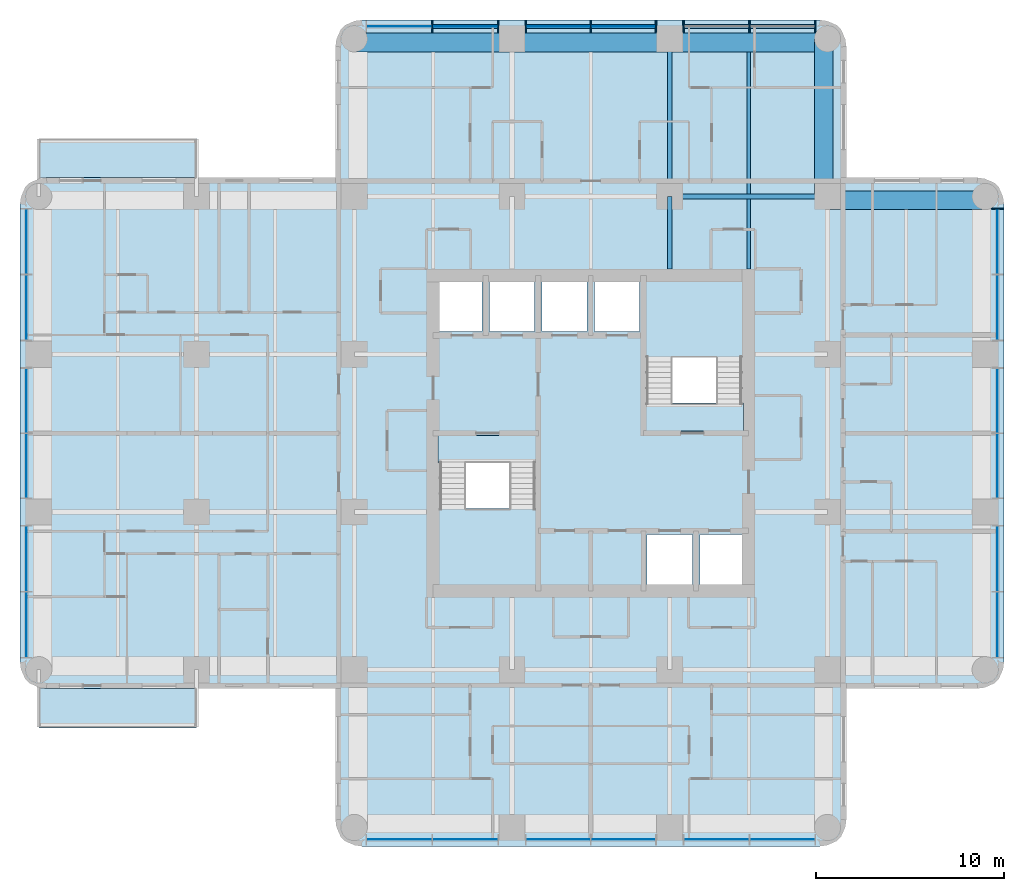
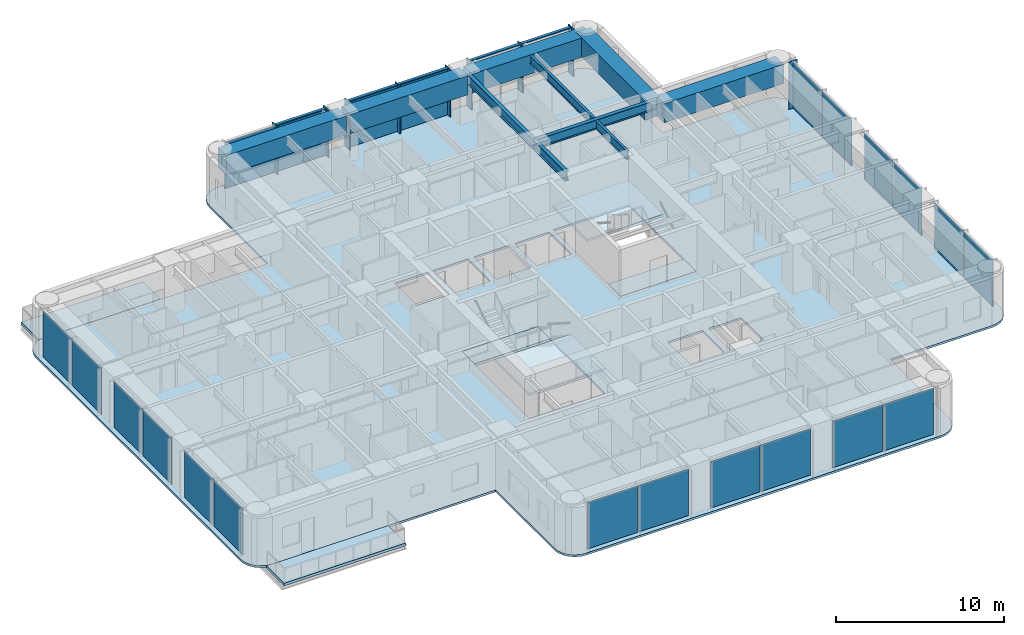
# One storey, part 3 of 11: 22 plates, 14 members, 10 beams, 7 slabs, 6 elements without a shape of their own.
"""IFC4 building model written with IfcOpenShell, lengths in metres."""

from ifc_helpers import new_model, si_unit, direction, frame, origin, origin_2d, place, context, subcontext, project, spatial, polyline, rectangle, i_section, outline, extrude, material, layer, layer_set, material_profile, profile_set, type_object, element, aggregate, save


model = new_model("IFC4")

# Units and contexts
model_context = context("Model", 3, precision=1e-05, world=origin(), true_north=direction((0.0, 1.0)))
body_context = subcontext(model_context, "Body", "Model", "MODEL_VIEW")
ifc_project = project(units=[si_unit("LENGTHUNIT", "METRE"), si_unit("AREAUNIT", "SQUARE_METRE"), si_unit("VOLUMEUNIT", "CUBIC_METRE"), si_unit("PLANEANGLEUNIT", "RADIAN"), si_unit("MASSUNIT", "GRAM", prefix="KILO")], contexts=[model_context])

# Site, building, storey
site_placement = place(None, origin())
site = spatial("IfcSite", under=ifc_project, at=site_placement, CompositionType="ELEMENT")
building_placement = place(site_placement, origin())
building = spatial("IfcBuilding", under=site, at=building_placement, Name="Torre Alcanfor", CompositionType="ELEMENT")
storey_placement = place(building_placement, frame((0.0, 0.0, 230.10009765625)))
storey = spatial("IfcBuildingStorey", under=building, at=storey_placement, Name="L60", CompositionType="ELEMENT", Elevation=230.10009765625)

# Curtain wall, member
ifc_material_1 = material(Name="Aluminium and glass", Category="aluminium")
curtain_wall_type = type_object("IfcCurtainWallType", Name="CW-A unitised apartment glazing with vertical FIN", PredefinedType="NOTDEFINED", material=ifc_material_1)
curtain_wall_1_placement = place(storey_placement, origin())
curtain_wall_1 = element("IfcCurtainWall", 1, at=curtain_wall_1_placement, inside=storey, type_object=curtain_wall_type, Name="Curtain wall CW-A L60 8", PredefinedType="NOTDEFINED")
ifc_material_2 = material(Name="Bronze anodised aluminium", Category="aluminium")
ifc_material_profile_1 = material_profile(ifc_material_2, rectangle(XDim=0.60009765625, YDim=0.06494140625, at=origin_2d()), Name="CW-A mullion 65x600")
ifc_profile_set_1 = profile_set([ifc_material_profile_1], Name="Bronze anodised aluminium")
member_type_1 = type_object("IfcMemberType", Name="CW-A mullion with vertical FIN 65x600", PredefinedType="MULLION", material=ifc_profile_set_1)
member_1_placement = place(storey_placement, frame((51.050048828125, 41.35546875, 0.0), z_axis=(0.0, 0.0, 1.0), x_axis=(-1.0, 0.0, 0.0)))
member_1 = element("IfcMember", 2, at=member_1_placement, type_object=member_type_1, Name="CW-A mullion 3.3", PredefinedType="MULLION", context=body_context, shape_type="SweptSolid", body=[
    extrude(rectangle(XDim=0.60009765625, YDim=0.06494140625, at=origin_2d()), origin(), (0.0, 0.0, 1.0), 3.449951171875),
])

# Curtain wall, members
curtain_wall_2_placement = place(storey_placement, origin())
curtain_wall_2 = element("IfcCurtainWall", 3, at=curtain_wall_2_placement, inside=storey, type_object=curtain_wall_type, Name="Curtain wall CW-A L60 11", PredefinedType="NOTDEFINED")
member_2_placement = place(storey_placement, frame((41.35546875, 51.050048828125, 0.0), z_axis=(0.0, 0.0, 1.0), x_axis=(0.0, -1.0, 0.0)))
member_2 = element("IfcMember", 4, at=member_2_placement, type_object=member_type_1, Name="CW-A mullion 1.1", PredefinedType="MULLION", context=body_context, shape_type="SweptSolid", body=[
    extrude(rectangle(XDim=0.60009765625, YDim=0.06494140625, at=origin_2d()), origin(), (0.0, 0.0, 1.0), 3.449951171875),
])
member_3_placement = place(storey_placement, frame((37.846435546875, 51.050048828125, 0.0), z_axis=(0.0, 0.0, 1.0), x_axis=(0.0, -1.0, 0.0)))
member_3 = element("IfcMember", 5, at=member_3_placement, type_object=member_type_1, Name="CW-A mullion 1.2", PredefinedType="MULLION", context=body_context, shape_type="SweptSolid", body=[
    extrude(rectangle(XDim=0.60009765625, YDim=0.06494140625, at=origin_2d()), origin(), (0.0, 0.0, 1.0), 3.449951171875),
])
member_4_placement = place(storey_placement, frame((34.33740234375, 51.050048828125, 0.0), z_axis=(0.0, 0.0, 1.0), x_axis=(0.0, -1.0, 0.0)))
member_4 = element("IfcMember", 6, at=member_4_placement, type_object=member_type_1, Name="CW-A mullion 1.3", PredefinedType="MULLION", context=body_context, shape_type="SweptSolid", body=[
    extrude(rectangle(XDim=0.60009765625, YDim=0.06494140625, at=origin_2d()), origin(), (0.0, 0.0, 1.0), 3.449951171875),
])
member_5_placement = place(storey_placement, frame((32.862548828125, 51.050048828125, 0.0), z_axis=(0.0, 0.0, 1.0), x_axis=(0.0, -1.0, 0.0)))
member_5 = element("IfcMember", 7, at=member_5_placement, type_object=member_type_1, Name="CW-A mullion 2.1", PredefinedType="MULLION", context=body_context, shape_type="SweptSolid", body=[
    extrude(rectangle(XDim=0.60009765625, YDim=0.06494140625, at=origin_2d()), origin(), (0.0, 0.0, 1.0), 3.449951171875),
])
member_6_placement = place(storey_placement, frame((29.39990234375, 51.050048828125, 0.0), z_axis=(0.0, 0.0, 1.0), x_axis=(0.0, -1.0, 0.0)))
member_6 = element("IfcMember", 8, at=member_6_placement, type_object=member_type_1, Name="CW-A mullion 2.2", PredefinedType="MULLION", context=body_context, shape_type="SweptSolid", body=[
    extrude(rectangle(XDim=0.60009765625, YDim=0.06494140625, at=origin_2d()), origin(), (0.0, 0.0, 1.0), 3.449951171875),
])
member_7_placement = place(storey_placement, frame((25.9375, 51.050048828125, 0.0), z_axis=(0.0, 0.0, 1.0), x_axis=(0.0, -1.0, 0.0)))
member_7 = element("IfcMember", 9, at=member_7_placement, type_object=member_type_1, Name="CW-A mullion 2.3", PredefinedType="MULLION", context=body_context, shape_type="SweptSolid", body=[
    extrude(rectangle(XDim=0.60009765625, YDim=0.06494140625, at=origin_2d()), origin(), (0.0, 0.0, 1.0), 3.449951171875),
])
member_8_placement = place(storey_placement, frame((24.46240234375, 51.050048828125, 0.0), z_axis=(0.0, 0.0, 1.0), x_axis=(0.0, -1.0, 0.0)))
member_8 = element("IfcMember", 10, at=member_8_placement, type_object=member_type_1, Name="CW-A mullion 3.1", PredefinedType="MULLION", context=body_context, shape_type="SweptSolid", body=[
    extrude(rectangle(XDim=0.60009765625, YDim=0.06494140625, at=origin_2d()), origin(), (0.0, 0.0, 1.0), 3.449951171875),
])
member_9_placement = place(storey_placement, frame((20.95361328125, 51.050048828125, 0.0), z_axis=(0.0, 0.0, 1.0), x_axis=(0.0, -1.0, 0.0)))
member_9 = element("IfcMember", 11, at=member_9_placement, type_object=member_type_1, Name="CW-A mullion 3.2", PredefinedType="MULLION", context=body_context, shape_type="SweptSolid", body=[
    extrude(rectangle(XDim=0.60009765625, YDim=0.06494140625, at=origin_2d()), origin(), (0.0, 0.0, 1.0), 3.449951171875),
])
ifc_material_3 = material(Name="Extruded aluminium", Category="aluminium")
ifc_material_profile_2 = material_profile(ifc_material_3, rectangle(XDim=0.199951171875, YDim=0.06494140625, at=origin_2d()), Name="CW-A transom 200x65")
ifc_profile_set_2 = profile_set([ifc_material_profile_2], Name="Extruded aluminium")
member_type_2 = type_object("IfcMemberType", Name="CW-A transom 65x200", PredefinedType="USERDEFINED", material=ifc_profile_set_2)
member_10_placement = place(storey_placement, frame((41.322998046875, 51.050048828125, 3.41748046875), z_axis=(-1.0, 0.0, 0.0), x_axis=(0.0, -1.0, 0.0)))
member_10 = element("IfcMember", 12, at=member_10_placement, type_object=member_type_2, Name="CW-A transom 1.1.2", ObjectType="TRANSOM", PredefinedType="USERDEFINED", context=body_context, shape_type="SweptSolid", body=[
    extrude(rectangle(XDim=0.199951171875, YDim=0.06494140625, at=origin_2d()), origin(), (0.0, 0.0, 1.0), 3.444091796875),
])
member_11_placement = place(storey_placement, frame((37.81396484375, 51.050048828125, 3.41748046875), z_axis=(-1.0, 0.0, 0.0), x_axis=(0.0, -1.0, 0.0)))
member_11 = element("IfcMember", 13, at=member_11_placement, type_object=member_type_2, Name="CW-A transom 1.2.2", ObjectType="TRANSOM", PredefinedType="USERDEFINED", context=body_context, shape_type="SweptSolid", body=[
    extrude(rectangle(XDim=0.199951171875, YDim=0.06494140625, at=origin_2d()), origin(), (0.0, 0.0, 1.0), 3.44384765625),
])
member_12_placement = place(storey_placement, frame((32.830078125, 51.050048828125, 3.41748046875), z_axis=(-1.0, 0.0, 0.0), x_axis=(0.0, -1.0, 0.0)))
member_12 = element("IfcMember", 14, at=member_12_placement, type_object=member_type_2, Name="CW-A transom 2.1.2", ObjectType="TRANSOM", PredefinedType="USERDEFINED", context=body_context, shape_type="SweptSolid", body=[
    extrude(rectangle(XDim=0.199951171875, YDim=0.06494140625, at=origin_2d()), origin(), (0.0, 0.0, 1.0), 3.3974609375),
])
member_13_placement = place(storey_placement, frame((29.367431640625, 51.050048828125, 3.41748046875), z_axis=(-1.0, 0.0, 0.0), x_axis=(0.0, -1.0, 0.0)))
member_13 = element("IfcMember", 15, at=member_13_placement, type_object=member_type_2, Name="CW-A transom 2.2.2", ObjectType="TRANSOM", PredefinedType="USERDEFINED", context=body_context, shape_type="SweptSolid", body=[
    extrude(rectangle(XDim=0.199951171875, YDim=0.06494140625, at=origin_2d()), origin(), (0.0, 0.0, 1.0), 3.3974609375),
])
member_14_placement = place(storey_placement, frame((24.429931640625, 51.050048828125, 3.41748046875), z_axis=(-1.0, 0.0, 0.0), x_axis=(0.0, -1.0, 0.0)))
member_14 = element("IfcMember", 16, at=member_14_placement, type_object=member_type_2, Name="CW-A transom 3.1.2", ObjectType="TRANSOM", PredefinedType="USERDEFINED", context=body_context, shape_type="SweptSolid", body=[
    extrude(rectangle(XDim=0.199951171875, YDim=0.06494140625, at=origin_2d()), origin(), (0.0, 0.0, 1.0), 3.44384765625),
])

# Beams
ifc_material_4 = material(Name="Steel ASTM A992 Grade 50", Category="steel")
ifc_material_profile_3 = material_profile(ifc_material_4, i_section(OverallWidth=0.25390625, OverallDepth=0.683349609375, WebThickness=0.012451171875, FlangeThickness=0.01904296875, at=origin_2d()), Name="W27x94")
ifc_profile_set_3 = profile_set([ifc_material_profile_3], Name="Steel ASTM A992 Grade 50")
beam_type_1 = type_object("IfcBeamType", Name="Girder W27x94", PredefinedType="BEAM", material=ifc_profile_set_3)
for number, where, z_axis, x_axis, name in (
    (17, (33.60009765625, 42.0, 3.108154296875), (1.0, 0.0, 0.0), (0.0, 1.0, 0.0), "Beam 5H-6H under L61"),
    (18, (33.60009765625, 42.0, 3.108154296875), (0.0, 1.0, 0.0), (-1.0, 0.0, 0.0), "Beam 5H-5J under L61"),
):
    element("IfcBeam", number, at=place(storey_placement, frame(where, z_axis=z_axis, x_axis=x_axis)), inside=storey, type_object=beam_type_1, Name=name, PredefinedType="BEAM", context=body_context, shape_type="SweptSolid", body=[
        extrude(i_section(OverallWidth=0.25390625, OverallDepth=0.683349609375, WebThickness=0.012451171875, FlangeThickness=0.01904296875, at=origin_2d()), origin(), (0.0, 0.0, 1.0), 8.39990234375),
    ])
ifc_material_5 = material(Name="Steel ASTM A992 Grade 50", Category="steel")
ifc_material_profile_4 = material_profile(ifc_material_5, i_section(OverallWidth=0.25390625, OverallDepth=0.683349609375, WebThickness=0.012451171875, FlangeThickness=0.01904296875, at=origin_2d()), Name="W27x94")
ifc_profile_set_4 = profile_set([ifc_material_profile_4], Name="Steel ASTM A992 Grade 50")
beam_type_2 = type_object("IfcBeamType", Name="Girder, part bay W27x94", PredefinedType="BEAM", material=ifc_profile_set_4)
beam_1_placement = place(storey_placement, frame((33.60009765625, 42.0, 3.108154296875), z_axis=(0.0, -1.0, 0.0), x_axis=(1.0, 0.0, 0.0)))
element("IfcBeam", 19, at=beam_1_placement, inside=storey, type_object=beam_type_2, Name="Beam 5H-538_15 under L61", PredefinedType="BEAM", context=body_context, shape_type="SweptSolid", body=[
    extrude(i_section(OverallWidth=0.25390625, OverallDepth=0.683349609375, WebThickness=0.012451171875, FlangeThickness=0.01904296875, at=origin_2d()), origin(), (0.0, 0.0, 1.0), 3.85009765625),
])
ifc_material_6 = material(Name="Concrete f'c 70 MPa", Category="concrete")
ifc_material_profile_5 = material_profile(ifc_material_6, rectangle(XDim=1.0, YDim=1.39990234375, at=origin_2d()), Name="1000x1400")
ifc_profile_set_5 = profile_set([ifc_material_profile_5], Name="Concrete f'c 70 MPa")
beam_type_3 = type_object("IfcBeamType", Name="RC perimeter beam 1000x1400", PredefinedType="BEAM", material=ifc_profile_set_5)
for number, where, z_axis, x_axis, name in (
    (20, (42.126953125, 41.800048828125, 2.75), (1.0, 0.0, 0.0), (0.0, 1.0, 0.0), "Beam 6H-7H under L61"),
    (21, (16.800048828125, 50.199951171875, 2.75), (1.0, 0.0, 0.0), (0.0, 1.0, 0.0), "Beam 3J-4J under L61"),
):
    element("IfcBeam", number, at=place(storey_placement, frame(where, z_axis=z_axis, x_axis=x_axis)), inside=storey, type_object=beam_type_3, Name=name, PredefinedType="BEAM", context=body_context, shape_type="SweptSolid", body=[
        extrude(rectangle(XDim=1.0, YDim=1.39990234375, at=origin_2d()), origin(), (0.0, 0.0, 1.0), 8.27294921875),
    ])
beam_2_placement = place(storey_placement, frame((25.326904296875, 50.199951171875, 2.75), z_axis=(1.0, 0.0, 0.0), x_axis=(0.0, 1.0, 0.0)))
element("IfcBeam", 22, at=beam_2_placement, inside=storey, type_object=beam_type_3, Name="Beam 4J-5J under L61", PredefinedType="BEAM", context=body_context, shape_type="SweptSolid", body=[
    extrude(rectangle(XDim=1.0, YDim=1.39990234375, at=origin_2d()), origin(), (0.0, 0.0, 1.0), 8.14599609375),
])
for number, where, z_axis, x_axis, name in (
    (23, (33.72705078125, 50.199951171875, 2.75), (1.0, 0.0, 0.0), (0.0, 1.0, 0.0), "Beam 5J-6J under L61"),
    (24, (41.800048828125, 42.126953125, 2.75), (0.0, 1.0, 0.0), (-1.0, 0.0, 0.0), "Beam 6H-6J under L61"),
):
    element("IfcBeam", number, at=place(storey_placement, frame(where, z_axis=z_axis, x_axis=x_axis)), inside=storey, type_object=beam_type_3, Name=name, PredefinedType="BEAM", context=body_context, shape_type="SweptSolid", body=[
        extrude(rectangle(XDim=1.0, YDim=1.39990234375, at=origin_2d()), origin(), (0.0, 0.0, 1.0), 8.27294921875),
    ])
ifc_material_7 = material(Name="Steel ASTM A992 Grade 50", Category="steel")
ifc_material_profile_6 = material_profile(ifc_material_7, i_section(OverallWidth=0.1787109375, OverallDepth=0.60205078125, WebThickness=0.010986328125, FlangeThickness=0.014892578125, at=origin_2d()), Name="W24x62")
ifc_profile_set_6 = profile_set([ifc_material_profile_6], Name="Steel ASTM A992 Grade 50")
beam_type_4 = type_object("IfcBeamType", Name="Secondary beam W24x62", PredefinedType="BEAM", material=ifc_profile_set_6)
beam_3_placement = place(storey_placement, frame((37.800048828125, 42.126953125, 3.14892578125), z_axis=(0.0, 1.0, 0.0), x_axis=(-1.0, 0.0, 0.0)))
element("IfcBeam", 25, at=beam_3_placement, inside=storey, type_object=beam_type_4, Name="Beam 37_8H-37_8J under L61", PredefinedType="BEAM", context=body_context, shape_type="SweptSolid", body=[
    extrude(i_section(OverallWidth=0.1787109375, OverallDepth=0.60205078125, WebThickness=0.010986328125, FlangeThickness=0.014892578125, at=origin_2d()), origin(), (0.0, 0.0, 1.0), 7.572998046875),
])
ifc_material_8 = material(Name="Steel ASTM A992 Grade 50", Category="steel")
ifc_material_profile_7 = material_profile(ifc_material_8, i_section(OverallWidth=0.1787109375, OverallDepth=0.60205078125, WebThickness=0.010986328125, FlangeThickness=0.014892578125, at=origin_2d()), Name="W24x62")
ifc_profile_set_7 = profile_set([ifc_material_profile_7], Name="Steel ASTM A992 Grade 50")
beam_type_5 = type_object("IfcBeamType", Name="Secondary beam, part bay W24x62", PredefinedType="BEAM", material=ifc_profile_set_7)
beam_4_placement = place(storey_placement, frame((37.800048828125, 38.14990234375, 3.14892578125), z_axis=(0.0, 1.0, 0.0), x_axis=(-1.0, 0.0, 0.0)))
element("IfcBeam", 26, at=beam_4_placement, inside=storey, type_object=beam_type_5, Name="Beam 37_838_15-37_8H under L61", PredefinedType="BEAM", context=body_context, shape_type="SweptSolid", body=[
    extrude(i_section(OverallWidth=0.1787109375, OverallDepth=0.60205078125, WebThickness=0.010986328125, FlangeThickness=0.014892578125, at=origin_2d()), origin(), (0.0, 0.0, 1.0), 3.72314453125),
])

# Slabs
ifc_material_9 = material(Name="Concrete f'c 35 MPa", Category="concrete")
ifc_layer_1 = layer(ifc_material_9, 0.199951171875)
ifc_layer_set_1 = layer_set([ifc_layer_1], Name="Balcony slab 200")
slab_type_1 = type_object("IfcSlabType", Name="Balcony slab 200", PredefinedType="FLOOR", material=ifc_layer_set_1)
slab_1_placement = place(storey_placement, frame((0.0, 0.0, -0.2001953125)))
element("IfcSlab", 27, at=slab_1_placement, inside=storey, type_object=slab_type_1, Name="Balcony L60-W1", PredefinedType="FLOOR", context=body_context, shape_type="SweptSolid", body=[
    extrude(outline(polyline([(8.39990234375, 15.800048828125), (0.0, 15.800048828125), (0.0, 13.699951171875), (8.39990234375, 13.699951171875), (8.39990234375, 15.800048828125)])), origin(), (0.0, 0.0, 1.0), 0.2001953125),
])
slab_2_placement = place(storey_placement, frame((0.0, 0.0, -0.2001953125)))
element("IfcSlab", 28, at=slab_2_placement, inside=storey, type_object=slab_type_1, Name="Balcony L60-W2", PredefinedType="FLOOR", context=body_context, shape_type="SweptSolid", body=[
    extrude(outline(polyline([(8.39990234375, 45.10009765625), (0.0, 45.10009765625), (0.0, 43.0), (8.39990234375, 43.0), (8.39990234375, 45.10009765625)])), origin(), (0.0, 0.0, 1.0), 0.2001953125),
])

# Curtain wall, plates
curtain_wall_3_placement = place(storey_placement, origin())
curtain_wall_3 = element("IfcCurtainWall", 29, at=curtain_wall_3_placement, inside=storey, type_object=curtain_wall_type, Name="Curtain wall CW-A L60 2", PredefinedType="NOTDEFINED")
ifc_material_10 = material(Name="Glass", Category="glass")
ifc_layer_2 = layer(ifc_material_10, 0.028076171875)
ifc_layer_set_2 = layer_set([ifc_layer_2], Name="CW-A clear double glazed unit")
plate_type = type_object("IfcPlateType", Name="CW-A clear double glazed unit", PredefinedType="CURTAIN_PANEL", material=ifc_layer_set_2)
plate_1_placement = place(storey_placement, frame((-0.64990234375, 39.60107421875, 0.0), z_axis=(0.0, 0.0, 1.0), x_axis=(0.0, -1.0, 0.0)))
plate_1 = element("IfcPlate", 30, at=plate_1_placement, type_object=plate_type, Name="CW-A panel 1.1.1", PredefinedType="CURTAIN_PANEL", context=body_context, shape_type="SweptSolid", body=[
    extrude(rectangle(XDim=3.444091796875, YDim=0.028076171875, at=origin_2d()), origin(), (0.0, 0.0, 1.0), 3.385009765625),
])
plate_2_placement = place(storey_placement, frame((-0.64990234375, 36.092041015625, 0.0), z_axis=(0.0, 0.0, 1.0), x_axis=(0.0, -1.0, 0.0)))
plate_2 = element("IfcPlate", 31, at=plate_2_placement, type_object=plate_type, Name="CW-A panel 1.2.1", PredefinedType="CURTAIN_PANEL", context=body_context, shape_type="SweptSolid", body=[
    extrude(rectangle(XDim=3.444091796875, YDim=0.028076171875, at=origin_2d()), origin(), (0.0, 0.0, 1.0), 3.385009765625),
])
plate_3_placement = place(storey_placement, frame((-0.64990234375, 31.13134765625, 0.0), z_axis=(0.0, 0.0, 1.0), x_axis=(0.0, -1.0, 0.0)))
plate_3 = element("IfcPlate", 32, at=plate_3_placement, type_object=plate_type, Name="CW-A panel 2.1.1", PredefinedType="CURTAIN_PANEL", context=body_context, shape_type="SweptSolid", body=[
    extrude(rectangle(XDim=3.3974609375, YDim=0.028076171875, at=origin_2d()), origin(), (0.0, 0.0, 1.0), 3.385009765625),
])
plate_4_placement = place(storey_placement, frame((-0.64990234375, 27.668701171875, 0.0), z_axis=(0.0, 0.0, 1.0), x_axis=(0.0, -1.0, 0.0)))
plate_4 = element("IfcPlate", 33, at=plate_4_placement, type_object=plate_type, Name="CW-A panel 2.2.1", PredefinedType="CURTAIN_PANEL", context=body_context, shape_type="SweptSolid", body=[
    extrude(rectangle(XDim=3.3974609375, YDim=0.028076171875, at=origin_2d()), origin(), (0.0, 0.0, 1.0), 3.385009765625),
])
plate_5_placement = place(storey_placement, frame((-0.64990234375, 22.7080078125, 0.0), z_axis=(0.0, 0.0, 1.0), x_axis=(0.0, -1.0, 0.0)))
plate_5 = element("IfcPlate", 34, at=plate_5_placement, type_object=plate_type, Name="CW-A panel 3.1.1", PredefinedType="CURTAIN_PANEL", context=body_context, shape_type="SweptSolid", body=[
    extrude(rectangle(XDim=3.444091796875, YDim=0.028076171875, at=origin_2d()), origin(), (0.0, 0.0, 1.0), 3.385009765625),
])
plate_6_placement = place(storey_placement, frame((-0.64990234375, 19.198974609375, 0.0), z_axis=(0.0, 0.0, 1.0), x_axis=(0.0, -1.0, 0.0)))
plate_6 = element("IfcPlate", 35, at=plate_6_placement, type_object=plate_type, Name="CW-A panel 3.2.1", PredefinedType="CURTAIN_PANEL", context=body_context, shape_type="SweptSolid", body=[
    extrude(rectangle(XDim=3.444091796875, YDim=0.028076171875, at=origin_2d()), origin(), (0.0, 0.0, 1.0), 3.385009765625),
])
aggregate(curtain_wall_3, [plate_1, plate_2, plate_3, plate_4, plate_5, plate_6])

curtain_wall_4_placement = place(storey_placement, origin())
curtain_wall_4 = element("IfcCurtainWall", 36, at=curtain_wall_4_placement, inside=storey, type_object=curtain_wall_type, Name="Curtain wall CW-A L60 5", PredefinedType="NOTDEFINED")
plate_7_placement = place(storey_placement, frame((19.198974609375, 7.75, 0.0), z_axis=(0.0, 0.0, 1.0), x_axis=(1.0, 0.0, 0.0)))
plate_7 = element("IfcPlate", 37, at=plate_7_placement, type_object=plate_type, Name="CW-A panel 1.1.1", PredefinedType="CURTAIN_PANEL", context=body_context, shape_type="SweptSolid", body=[
    extrude(rectangle(XDim=3.444091796875, YDim=0.028076171875, at=origin_2d()), origin(), (0.0, 0.0, 1.0), 3.385009765625),
])
plate_8_placement = place(storey_placement, frame((22.7080078125, 7.75, 0.0), z_axis=(0.0, 0.0, 1.0), x_axis=(1.0, 0.0, 0.0)))
plate_8 = element("IfcPlate", 38, at=plate_8_placement, type_object=plate_type, Name="CW-A panel 1.2.1", PredefinedType="CURTAIN_PANEL", context=body_context, shape_type="SweptSolid", body=[
    extrude(rectangle(XDim=3.444091796875, YDim=0.028076171875, at=origin_2d()), origin(), (0.0, 0.0, 1.0), 3.385009765625),
])
plate_9_placement = place(storey_placement, frame((27.668701171875, 7.75, 0.0), z_axis=(0.0, 0.0, 1.0), x_axis=(1.0, 0.0, 0.0)))
plate_9 = element("IfcPlate", 39, at=plate_9_placement, type_object=plate_type, Name="CW-A panel 2.1.1", PredefinedType="CURTAIN_PANEL", context=body_context, shape_type="SweptSolid", body=[
    extrude(rectangle(XDim=3.3974609375, YDim=0.028076171875, at=origin_2d()), origin(), (0.0, 0.0, 1.0), 3.385009765625),
])
plate_10_placement = place(storey_placement, frame((31.13134765625, 7.75, 0.0), z_axis=(0.0, 0.0, 1.0), x_axis=(1.0, 0.0, 0.0)))
plate_10 = element("IfcPlate", 40, at=plate_10_placement, type_object=plate_type, Name="CW-A panel 2.2.1", PredefinedType="CURTAIN_PANEL", context=body_context, shape_type="SweptSolid", body=[
    extrude(rectangle(XDim=3.3974609375, YDim=0.028076171875, at=origin_2d()), origin(), (0.0, 0.0, 1.0), 3.385009765625),
])
plate_11_placement = place(storey_placement, frame((36.092041015625, 7.75, 0.0), z_axis=(0.0, 0.0, 1.0), x_axis=(1.0, 0.0, 0.0)))
plate_11 = element("IfcPlate", 41, at=plate_11_placement, type_object=plate_type, Name="CW-A panel 3.1.1", PredefinedType="CURTAIN_PANEL", context=body_context, shape_type="SweptSolid", body=[
    extrude(rectangle(XDim=3.444091796875, YDim=0.028076171875, at=origin_2d()), origin(), (0.0, 0.0, 1.0), 3.385009765625),
])
plate_12_placement = place(storey_placement, frame((39.60107421875, 7.75, 0.0), z_axis=(0.0, 0.0, 1.0), x_axis=(1.0, 0.0, 0.0)))
plate_12 = element("IfcPlate", 42, at=plate_12_placement, type_object=plate_type, Name="CW-A panel 3.2.1", PredefinedType="CURTAIN_PANEL", context=body_context, shape_type="SweptSolid", body=[
    extrude(rectangle(XDim=3.444091796875, YDim=0.028076171875, at=origin_2d()), origin(), (0.0, 0.0, 1.0), 3.385009765625),
])
aggregate(curtain_wall_4, [plate_7, plate_8, plate_9, plate_10, plate_11, plate_12])

# Plate
plate_13_placement = place(storey_placement, frame((51.050048828125, 19.198974609375, 0.0), z_axis=(0.0, 0.0, 1.0), x_axis=(0.0, 1.0, 0.0)))
plate_13 = element("IfcPlate", 43, at=plate_13_placement, type_object=plate_type, Name="CW-A panel 1.1.1", PredefinedType="CURTAIN_PANEL", context=body_context, shape_type="SweptSolid", body=[
    extrude(rectangle(XDim=3.444091796875, YDim=0.028076171875, at=origin_2d()), origin(), (0.0, 0.0, 1.0), 3.385009765625),
])

plate_14_placement = place(storey_placement, frame((51.050048828125, 22.7080078125, 0.0), z_axis=(0.0, 0.0, 1.0), x_axis=(0.0, 1.0, 0.0)))
plate_14 = element("IfcPlate", 44, at=plate_14_placement, type_object=plate_type, Name="CW-A panel 1.2.1", PredefinedType="CURTAIN_PANEL", context=body_context, shape_type="SweptSolid", body=[
    extrude(rectangle(XDim=3.444091796875, YDim=0.028076171875, at=origin_2d()), origin(), (0.0, 0.0, 1.0), 3.385009765625),
])

plate_15_placement = place(storey_placement, frame((51.050048828125, 27.668701171875, 0.0), z_axis=(0.0, 0.0, 1.0), x_axis=(0.0, 1.0, 0.0)))
plate_15 = element("IfcPlate", 45, at=plate_15_placement, type_object=plate_type, Name="CW-A panel 2.1.1", PredefinedType="CURTAIN_PANEL", context=body_context, shape_type="SweptSolid", body=[
    extrude(rectangle(XDim=3.3974609375, YDim=0.028076171875, at=origin_2d()), origin(), (0.0, 0.0, 1.0), 3.385009765625),
])

plate_16_placement = place(storey_placement, frame((51.050048828125, 31.13134765625, 0.0), z_axis=(0.0, 0.0, 1.0), x_axis=(0.0, 1.0, 0.0)))
plate_16 = element("IfcPlate", 46, at=plate_16_placement, type_object=plate_type, Name="CW-A panel 2.2.1", PredefinedType="CURTAIN_PANEL", context=body_context, shape_type="SweptSolid", body=[
    extrude(rectangle(XDim=3.3974609375, YDim=0.028076171875, at=origin_2d()), origin(), (0.0, 0.0, 1.0), 3.385009765625),
])

plate_17_placement = place(storey_placement, frame((51.050048828125, 36.092041015625, 0.0), z_axis=(0.0, 0.0, 1.0), x_axis=(0.0, 1.0, 0.0)))
plate_17 = element("IfcPlate", 47, at=plate_17_placement, type_object=plate_type, Name="CW-A panel 3.1.1", PredefinedType="CURTAIN_PANEL", context=body_context, shape_type="SweptSolid", body=[
    extrude(rectangle(XDim=3.444091796875, YDim=0.028076171875, at=origin_2d()), origin(), (0.0, 0.0, 1.0), 3.385009765625),
])

plate_18_placement = place(storey_placement, frame((51.050048828125, 39.60107421875, 0.0), z_axis=(0.0, 0.0, 1.0), x_axis=(0.0, 1.0, 0.0)))
plate_18 = element("IfcPlate", 48, at=plate_18_placement, type_object=plate_type, Name="CW-A panel 3.2.1", PredefinedType="CURTAIN_PANEL", context=body_context, shape_type="SweptSolid", body=[
    extrude(rectangle(XDim=3.444091796875, YDim=0.028076171875, at=origin_2d()), origin(), (0.0, 0.0, 1.0), 3.385009765625),
])

aggregate(curtain_wall_1, [plate_13, plate_14, plate_15, plate_16, member_1, plate_17, plate_18])

plate_19_placement = place(storey_placement, frame((31.13134765625, 51.050048828125, 0.0), z_axis=(0.0, 0.0, 1.0), x_axis=(-1.0, 0.0, 0.0)))
plate_19 = element("IfcPlate", 49, at=plate_19_placement, type_object=plate_type, Name="CW-A panel 2.1.1", PredefinedType="CURTAIN_PANEL", context=body_context, shape_type="SweptSolid", body=[
    extrude(rectangle(XDim=3.3974609375, YDim=0.028076171875, at=origin_2d()), origin(), (0.0, 0.0, 1.0), 3.385009765625),
])

plate_20_placement = place(storey_placement, frame((27.668701171875, 51.050048828125, 0.0), z_axis=(0.0, 0.0, 1.0), x_axis=(-1.0, 0.0, 0.0)))
plate_20 = element("IfcPlate", 50, at=plate_20_placement, type_object=plate_type, Name="CW-A panel 2.2.1", PredefinedType="CURTAIN_PANEL", context=body_context, shape_type="SweptSolid", body=[
    extrude(rectangle(XDim=3.3974609375, YDim=0.028076171875, at=origin_2d()), origin(), (0.0, 0.0, 1.0), 3.385009765625),
])

plate_21_placement = place(storey_placement, frame((22.7080078125, 51.050048828125, 0.0), z_axis=(0.0, 0.0, 1.0), x_axis=(-1.0, 0.0, 0.0)))
plate_21 = element("IfcPlate", 51, at=plate_21_placement, type_object=plate_type, Name="CW-A panel 3.1.1", PredefinedType="CURTAIN_PANEL", context=body_context, shape_type="SweptSolid", body=[
    extrude(rectangle(XDim=3.444091796875, YDim=0.028076171875, at=origin_2d()), origin(), (0.0, 0.0, 1.0), 3.385009765625),
])

plate_22_placement = place(storey_placement, frame((19.198974609375, 51.050048828125, 0.0), z_axis=(0.0, 0.0, 1.0), x_axis=(-1.0, 0.0, 0.0)))
plate_22 = element("IfcPlate", 52, at=plate_22_placement, type_object=plate_type, Name="CW-A panel 3.2.1", PredefinedType="CURTAIN_PANEL", context=body_context, shape_type="SweptSolid", body=[
    extrude(rectangle(XDim=3.444091796875, YDim=0.028076171875, at=origin_2d()), origin(), (0.0, 0.0, 1.0), 3.385009765625),
])

aggregate(curtain_wall_2, [member_2, member_3, member_4, member_10, member_11, member_5, member_6, member_7, member_12, plate_19, member_13, plate_20, member_8, member_9, member_14, plate_21, plate_22])

# Slab
ifc_material_11 = material(Name="Concrete f'c 35 MPa", Category="concrete")
ifc_layer_3 = layer(ifc_material_11, 0.14990234375)
ifc_layer_set_3 = layer_set([ifc_layer_3], Name="Composite floor 150 on metal deck")
slab_type_2 = type_object("IfcSlabType", Name="Composite floor 150 on metal deck", PredefinedType="FLOOR", material=ifc_layer_set_3)
slab_3_placement = place(storey_placement, frame((0.0, 0.0, -0.150146484375)))
element("IfcSlab", 53, at=slab_3_placement, inside=storey, type_object=slab_type_2, Name="Floor slab L60", PredefinedType="FLOOR", context=body_context, shape_type="SweptSolid", body=[
    extrude(outline(polyline([(15.800048828125, 43.0), (0.39990234375, 43.0), (0.03759765625, 42.952392578125), (-0.300048828125, 42.8125), (-0.58984375, 42.58984375), (-0.8125, 42.300048828125), (-0.952392578125, 41.96240234375), (-1.0, 41.60009765625), (-1.0, 17.199951171875), (-0.952392578125, 16.837646484375), (-0.8125, 16.5), (-0.58984375, 16.210205078125), (-0.300048828125, 15.987548828125), (0.03759765625, 15.84765625), (0.39990234375, 15.800048828125), (15.800048828125, 15.800048828125), (15.800048828125, 8.800048828125), (15.84765625, 8.437744140625), (15.987548828125, 8.10009765625), (16.210205078125, 7.81005859375), (16.5, 7.587646484375), (16.837646484375, 7.44775390625), (17.199951171875, 7.39990234375), (41.60009765625, 7.39990234375), (41.96240234375, 7.44775390625), (42.300048828125, 7.587646484375), (42.58984375, 7.81005859375), (42.8125, 8.10009765625), (42.952392578125, 8.437744140625), (43.0, 8.800048828125), (43.0, 15.800048828125), (50.0, 15.800048828125), (50.3623046875, 15.84765625), (50.699951171875, 15.987548828125), (50.989990234375, 16.210205078125), (51.21240234375, 16.5), (51.352294921875, 16.837646484375), (51.39990234375, 17.199951171875), (51.39990234375, 41.60009765625), (51.352294921875, 41.96240234375), (51.21240234375, 42.300048828125), (50.989990234375, 42.58984375), (50.699951171875, 42.8125), (50.3623046875, 42.952392578125), (50.0, 43.0), (43.0, 43.0), (43.0, 50.0), (42.952392578125, 50.3623046875), (42.8125, 50.699951171875), (42.58984375, 50.989990234375), (42.300048828125, 51.21240234375), (41.96240234375, 51.352294921875), (41.60009765625, 51.39990234375), (17.199951171875, 51.39990234375), (16.837646484375, 51.352294921875), (16.5, 51.21240234375), (16.210205078125, 50.989990234375), (15.987548828125, 50.699951171875), (15.84765625, 50.3623046875), (15.800048828125, 50.0), (15.800048828125, 43.0)]), holes=[polyline([(21.27001953125, 21.27001953125), (26.47998046875, 21.27001953125), (26.47998046875, 29.280029296875), (21.27001953125, 29.280029296875), (21.27001953125, 21.27001953125)]), polyline([(32.320068359375, 29.52001953125), (37.530029296875, 29.52001953125), (37.530029296875, 37.530029296875), (32.320068359375, 37.530029296875), (32.320068359375, 29.52001953125)]), polyline([(32.39990234375, 21.35009765625), (34.800048828125, 21.35009765625), (34.800048828125, 24.0), (32.39990234375, 24.0), (32.39990234375, 21.35009765625)]), polyline([(35.199951171875, 21.35009765625), (37.449951171875, 21.35009765625), (37.449951171875, 24.0), (35.199951171875, 24.0), (35.199951171875, 21.35009765625)]), polyline([(21.35009765625, 34.800048828125), (23.60009765625, 34.800048828125), (23.60009765625, 37.449951171875), (21.35009765625, 37.449951171875), (21.35009765625, 34.800048828125)]), polyline([(24.0, 34.800048828125), (26.39990234375, 34.800048828125), (26.39990234375, 37.449951171875), (24.0, 37.449951171875), (24.0, 34.800048828125)]), polyline([(26.800048828125, 34.800048828125), (29.199951171875, 34.800048828125), (29.199951171875, 37.449951171875), (26.800048828125, 37.449951171875), (26.800048828125, 34.800048828125)]), polyline([(29.60009765625, 34.800048828125), (32.0, 34.800048828125), (32.0, 37.449951171875), (29.60009765625, 37.449951171875), (29.60009765625, 34.800048828125)])]), origin(), (0.0, 0.0, 1.0), 0.150146484375),
])

# Stair, slabs
ifc_material_12 = material(Name="Concrete f'c 35 MPa", Category="concrete")
stair_type_1 = type_object("IfcStairType", Name="Exit stair S1 1400 wide", PredefinedType="HALF_TURN_STAIR", material=ifc_material_12)
stair_1_placement = place(storey_placement, origin())
stair_1 = element("IfcStair", 54, at=stair_1_placement, inside=storey, type_object=stair_type_1, Name="Stair S1 L60 to L61", PredefinedType="HALF_TURN_STAIR")
ifc_material_13 = material(Name="Concrete f'c 35 MPa", Category="concrete")
ifc_layer_4 = layer(ifc_material_13, 0.199951171875)
ifc_layer_set_4 = layer_set([ifc_layer_4], Name="Stair landing 200")
slab_type_3 = type_object("IfcSlabType", Name="Stair landing 200", PredefinedType="LANDING", material=ifc_layer_set_4)
slab_4_placement = place(storey_placement, frame((0.0, 0.0, -0.2001953125)))
slab_4 = element("IfcSlab", 55, at=slab_4_placement, type_object=slab_type_3, Name="S1 landing 1", PredefinedType="LANDING", context=body_context, shape_type="SweptSolid", body=[
    extrude(outline(polyline([(21.27001953125, 27.800048828125), (26.47998046875, 27.800048828125), (26.47998046875, 29.280029296875), (21.27001953125, 29.280029296875), (21.27001953125, 27.800048828125)])), origin(), (0.0, 0.0, 1.0), 0.2001953125),
])
slab_5_placement = place(storey_placement, frame((0.0, 0.0, 1.599853515625)))
slab_5 = element("IfcSlab", 56, at=slab_5_placement, type_object=slab_type_3, Name="S1 landing 2", PredefinedType="LANDING", context=body_context, shape_type="SweptSolid", body=[
    extrude(outline(polyline([(21.27001953125, 21.27001953125), (26.530029296875, 21.27001953125), (26.530029296875, 25.3798828125), (21.27001953125, 25.3798828125), (21.27001953125, 21.27001953125)])), origin(), (0.0, 0.0, 1.0), 0.199951171875),
])
aggregate(stair_1, [slab_4, slab_5])

ifc_material_14 = material(Name="Concrete f'c 35 MPa", Category="concrete")
stair_type_2 = type_object("IfcStairType", Name="Exit stair S2 1400 wide", PredefinedType="HALF_TURN_STAIR", material=ifc_material_14)
stair_2_placement = place(storey_placement, origin())
stair_2 = element("IfcStair", 57, at=stair_2_placement, inside=storey, type_object=stair_type_2, Name="Stair S2 L60 to L61", PredefinedType="HALF_TURN_STAIR")
slab_6_placement = place(storey_placement, frame((0.0, 0.0, -0.2001953125)))
slab_6 = element("IfcSlab", 58, at=slab_6_placement, type_object=slab_type_3, Name="S2 landing 1", PredefinedType="LANDING", context=body_context, shape_type="SweptSolid", body=[
    extrude(outline(polyline([(32.320068359375, 29.52001953125), (37.530029296875, 29.52001953125), (37.530029296875, 31.0), (32.320068359375, 31.0), (32.320068359375, 29.52001953125)])), origin(), (0.0, 0.0, 1.0), 0.2001953125),
])
slab_7_placement = place(storey_placement, frame((0.0, 0.0, 1.599853515625)))
slab_7 = element("IfcSlab", 59, at=slab_7_placement, type_object=slab_type_3, Name="S2 landing 2", PredefinedType="LANDING", context=body_context, shape_type="SweptSolid", body=[
    extrude(outline(polyline([(32.27001953125, 33.419921875), (37.530029296875, 33.419921875), (37.530029296875, 37.530029296875), (32.27001953125, 37.530029296875), (32.27001953125, 33.419921875)])), origin(), (0.0, 0.0, 1.0), 0.199951171875),
])
aggregate(stair_2, [slab_6, slab_7])

save(model, "model.ifc")
